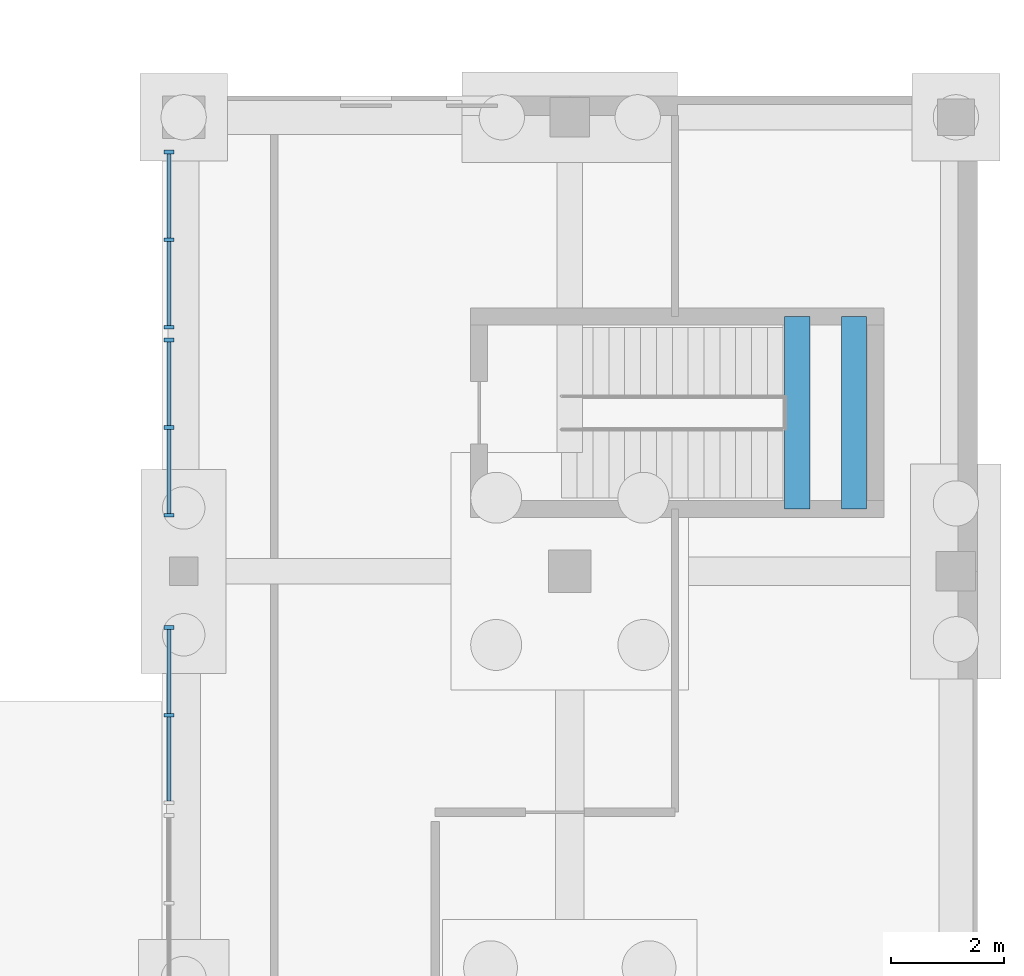
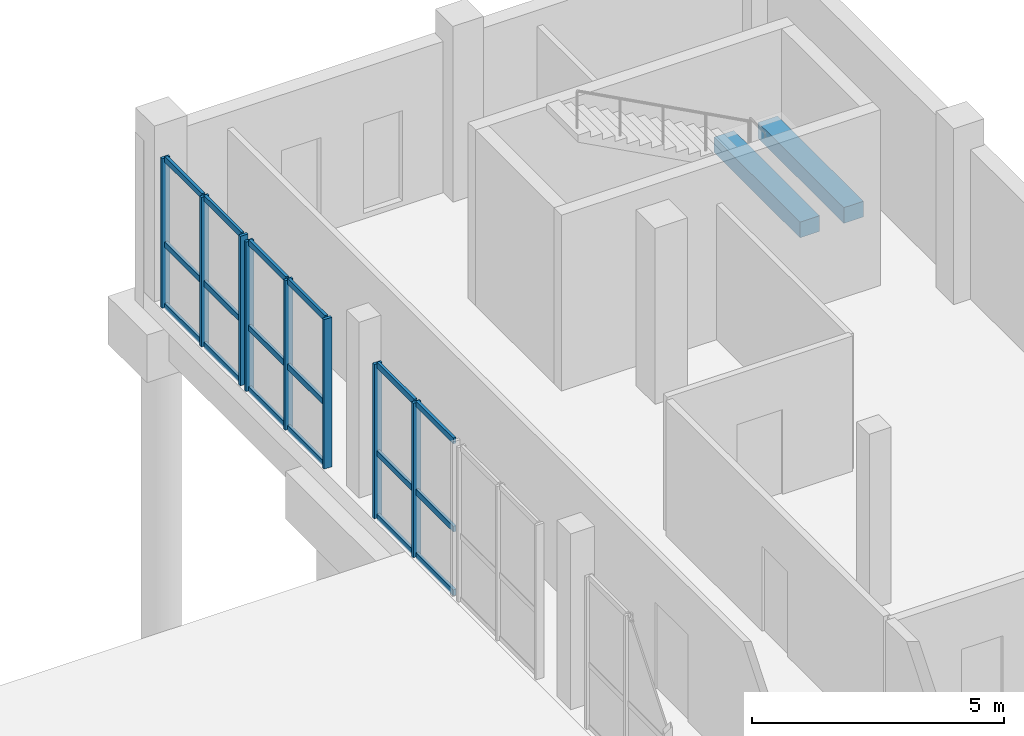
# One storey, part 19 of 41: 26 members, 2 beams, 3 elements without a shape of their own.
"""IFC4 building model written with IfcOpenShell, lengths in metres."""

from ifc_helpers import new_model, si_unit, direction, frame, origin, origin_2d, place, context, subcontext, project, spatial, rectangle, extrude, material, layer, layer_set, material_profile, profile_set, type_object, element, aggregate, save


model = new_model("IFC4")

# Units and contexts
model_context = context("Model", 3, precision=1e-05, world=origin(), true_north=direction((0.0, 1.0)))
body_context = subcontext(model_context, "Body", "Model", "MODEL_VIEW")
ifc_project = project(units=[si_unit("LENGTHUNIT", "METRE"), si_unit("AREAUNIT", "SQUARE_METRE"), si_unit("VOLUMEUNIT", "CUBIC_METRE"), si_unit("PLANEANGLEUNIT", "RADIAN"), si_unit("MASSUNIT", "GRAM", prefix="KILO")], contexts=[model_context])

# Site, building, storey
site_placement = place(None, origin())
site = spatial("IfcSite", under=ifc_project, at=site_placement, CompositionType="ELEMENT")
building_placement = place(site_placement, origin())
building = spatial("IfcBuilding", under=site, at=building_placement, Name="Vardoun Plaza Health Centre", CompositionType="ELEMENT")
storey_placement = place(building_placement, frame((0.0, 0.0, -4.5)))
storey = spatial("IfcBuildingStorey", under=building, at=storey_placement, Name="B1", CompositionType="ELEMENT", Elevation=-4.5)

# Beams
ifc_material_1 = material(Name="Concrete C35/45", Category="concrete")
ifc_material_profile_1 = material_profile(ifc_material_1, rectangle(XDim=0.449951171875, YDim=0.3798828125, at=origin_2d()), Name="RC-BM 450x380")
ifc_profile_set_1 = profile_set([ifc_material_profile_1], Name="Concrete C35/45")
beam_type = type_object("IfcBeamType", Name="B-01", PredefinedType="BEAM", material=ifc_profile_set_1)
for number, where, z_axis, x_axis, name in (
    (1, (162.1201171875, 79.400146484375, 1.860107421875), (0.0, 1.0, 0.0), (-1.0, 0.0, 0.0), "Stair ST-C11-B1 Landing Beam 1"),
    (2, (163.1201171875, 79.400146484375, 1.860107421875), (0.0, 1.0, 0.0), (-1.0, 0.0, 0.0), "Stair ST-C11-B1 Landing Beam 2"),
):
    element("IfcBeam", number, at=place(storey_placement, frame(where, z_axis=z_axis, x_axis=x_axis)), inside=storey, type_object=beam_type, Name=name, PredefinedType="BEAM", context=body_context, shape_type="SweptSolid", body=[
        extrude(rectangle(XDim=0.449951171875, YDim=0.3798828125, at=origin_2d()), origin(), (0.0, 0.0, 1.0), 3.39990234375),
    ])

# Curtain wall, members
ifc_material_2 = material(Name="Aluminium Alloy EN AW-6063-T6 and Low-E Glass", Category="aluminium")
ifc_layer = layer(ifc_material_2, 0.179931640625)
ifc_layer_set = layer_set([ifc_layer], Name="Aluminium Alloy EN AW-6063-T6 and Low-E Glass")
curtain_wall_type = type_object("IfcCurtainWallType", Name="CW-01", PredefinedType="USERDEFINED", material=ifc_layer_set)
curtain_wall_1_placement = place(storey_placement, origin())
curtain_wall_1 = element("IfcCurtainWall", 3, at=curtain_wall_1_placement, inside=storey, type_object=curtain_wall_type, Name="Curtain Wall CW-V6-188", ObjectType="CONCOURSE_CURTAIN_WALL", PredefinedType="USERDEFINED")
ifc_material_3 = material(Name="Aluminium Alloy EN AW-6063-T6", Category="aluminium")
ifc_material_profile_2 = material_profile(ifc_material_3, rectangle(XDim=0.179931640625, YDim=0.06494140625, at=origin_2d()), Name="CWM 65x180")
ifc_profile_set_2 = profile_set([ifc_material_profile_2], Name="Aluminium Alloy EN AW-6063-T6")
member_type_1 = type_object("IfcMemberType", Name="CW-M2", PredefinedType="MULLION", material=ifc_profile_set_2)
member_1_placement = place(storey_placement, frame((151.02001953125, 75.760009765625, 0.0), z_axis=(0.0, 0.0, 1.0), x_axis=(-1.0, 0.0, 0.0)))
member_1 = element("IfcMember", 4, at=member_1_placement, type_object=member_type_1, Name="CW-V6-188 mullion 2", PredefinedType="MULLION", context=body_context, shape_type="SweptSolid", body=[
    extrude(rectangle(XDim=0.179931640625, YDim=0.06494140625, at=origin_2d()), origin(), (0.0, 0.0, 1.0), 3.735107421875),
])
member_2_placement = place(storey_placement, frame((151.02001953125, 77.3076171875, 0.0), z_axis=(0.0, 0.0, 1.0), x_axis=(-1.0, 0.0, 0.0)))
member_2 = element("IfcMember", 5, at=member_2_placement, type_object=member_type_1, Name="CW-V6-188 mullion 3", PredefinedType="MULLION", context=body_context, shape_type="SweptSolid", body=[
    extrude(rectangle(XDim=0.179931640625, YDim=0.06494140625, at=origin_2d()), origin(), (0.0, 0.0, 1.0), 3.735107421875),
])

curtain_wall_2_placement = place(storey_placement, origin())
curtain_wall_2 = element("IfcCurtainWall", 6, at=curtain_wall_2_placement, inside=storey, type_object=curtain_wall_type, Name="Curtain Wall CW-V6-189", ObjectType="CONCOURSE_CURTAIN_WALL", PredefinedType="USERDEFINED")
member_3_placement = place(storey_placement, frame((151.02001953125, 79.29248046875, 0.0), z_axis=(0.0, 0.0, 1.0), x_axis=(-1.0, 0.0, 0.0)))
member_3 = element("IfcMember", 7, at=member_3_placement, type_object=member_type_1, Name="CW-V6-189 mullion 1", PredefinedType="MULLION", context=body_context, shape_type="SweptSolid", body=[
    extrude(rectangle(XDim=0.179931640625, YDim=0.06494140625, at=origin_2d()), origin(), (0.0, 0.0, 1.0), 3.614990234375),
])
member_4_placement = place(storey_placement, frame((151.02001953125, 80.840087890625, 0.0), z_axis=(0.0, 0.0, 1.0), x_axis=(-1.0, 0.0, 0.0)))
member_4 = element("IfcMember", 8, at=member_4_placement, type_object=member_type_1, Name="CW-V6-189 mullion 2", PredefinedType="MULLION", context=body_context, shape_type="SweptSolid", body=[
    extrude(rectangle(XDim=0.179931640625, YDim=0.06494140625, at=origin_2d()), origin(), (0.0, 0.0, 1.0), 3.614990234375),
])
member_5_placement = place(storey_placement, frame((151.02001953125, 82.387451171875, 0.0), z_axis=(0.0, 0.0, 1.0), x_axis=(-1.0, 0.0, 0.0)))
member_5 = element("IfcMember", 9, at=member_5_placement, type_object=member_type_1, Name="CW-V6-189 mullion 3", PredefinedType="MULLION", context=body_context, shape_type="SweptSolid", body=[
    extrude(rectangle(XDim=0.179931640625, YDim=0.06494140625, at=origin_2d()), origin(), (0.0, 0.0, 1.0), 3.614990234375),
])

curtain_wall_3_placement = place(storey_placement, origin())
curtain_wall_3 = element("IfcCurtainWall", 10, at=curtain_wall_3_placement, inside=storey, type_object=curtain_wall_type, Name="Curtain Wall CW-V6-190", ObjectType="CONCOURSE_CURTAIN_WALL", PredefinedType="USERDEFINED")
member_6_placement = place(storey_placement, frame((151.02001953125, 82.612548828125, 0.0), z_axis=(0.0, 0.0, 1.0), x_axis=(-1.0, 0.0, 0.0)))
member_6 = element("IfcMember", 11, at=member_6_placement, type_object=member_type_1, Name="CW-V6-190 mullion 1", PredefinedType="MULLION", context=body_context, shape_type="SweptSolid", body=[
    extrude(rectangle(XDim=0.179931640625, YDim=0.06494140625, at=origin_2d()), origin(), (0.0, 0.0, 1.0), 3.614990234375),
])
member_7_placement = place(storey_placement, frame((151.02001953125, 84.159912109375, 0.0), z_axis=(0.0, 0.0, 1.0), x_axis=(-1.0, 0.0, 0.0)))
member_7 = element("IfcMember", 12, at=member_7_placement, type_object=member_type_1, Name="CW-V6-190 mullion 2", PredefinedType="MULLION", context=body_context, shape_type="SweptSolid", body=[
    extrude(rectangle(XDim=0.179931640625, YDim=0.06494140625, at=origin_2d()), origin(), (0.0, 0.0, 1.0), 3.614990234375),
])
member_8_placement = place(storey_placement, frame((151.02001953125, 85.70751953125, 0.0), z_axis=(0.0, 0.0, 1.0), x_axis=(-1.0, 0.0, 0.0)))
member_8 = element("IfcMember", 13, at=member_8_placement, type_object=member_type_1, Name="CW-V6-190 mullion 3", PredefinedType="MULLION", context=body_context, shape_type="SweptSolid", body=[
    extrude(rectangle(XDim=0.179931640625, YDim=0.06494140625, at=origin_2d()), origin(), (0.0, 0.0, 1.0), 3.614990234375),
])

# Member
ifc_material_4 = material(Name="Aluminium Alloy EN AW-6063-T6", Category="aluminium")
ifc_material_profile_3 = material_profile(ifc_material_4, rectangle(XDim=0.06494140625, YDim=0.139892578125, at=origin_2d()), Name="CWT 65x140")
ifc_profile_set_3 = profile_set([ifc_material_profile_3], Name="Aluminium Alloy EN AW-6063-T6")
member_type_2 = type_object("IfcMemberType", Name="CW-T2", PredefinedType="USERDEFINED", material=ifc_profile_set_3)
member_9_placement = place(storey_placement, frame((151.02001953125, 74.2451171875, 0.032470703125), z_axis=(0.0, 1.0, 0.0), x_axis=(-1.0, 0.0, 0.0)))
member_9 = element("IfcMember", 14, at=member_9_placement, type_object=member_type_2, Name="CW-V6-188 transom 1.1", ObjectType="TRANSOM", PredefinedType="USERDEFINED", context=body_context, shape_type="SweptSolid", body=[
    extrude(rectangle(XDim=0.06494140625, YDim=0.139892578125, at=origin_2d()), origin(), (0.0, 0.0, 1.0), 1.482421875),
])

member_10_placement = place(storey_placement, frame((151.02001953125, 74.2451171875, 1.568603515625), z_axis=(0.0, 1.0, 0.0), x_axis=(-1.0, 0.0, 0.0)))
member_10 = element("IfcMember", 15, at=member_10_placement, type_object=member_type_2, Name="CW-V6-188 transom 1.2", ObjectType="TRANSOM", PredefinedType="USERDEFINED", context=body_context, shape_type="SweptSolid", body=[
    extrude(rectangle(XDim=0.06494140625, YDim=0.139892578125, at=origin_2d()), origin(), (0.0, 0.0, 1.0), 1.482421875),
])

member_11_placement = place(storey_placement, frame((151.02001953125, 74.2451171875, 3.702392578125), z_axis=(0.0, 1.0, 0.0), x_axis=(-1.0, 0.0, 0.0)))
member_11 = element("IfcMember", 16, at=member_11_placement, type_object=member_type_2, Name="CW-V6-188 transom 1.3", ObjectType="TRANSOM", PredefinedType="USERDEFINED", context=body_context, shape_type="SweptSolid", body=[
    extrude(rectangle(XDim=0.06494140625, YDim=0.139892578125, at=origin_2d()), origin(), (0.0, 0.0, 1.0), 1.482421875),
])

member_12_placement = place(storey_placement, frame((151.02001953125, 75.79248046875, 0.032470703125), z_axis=(0.0, 1.0, 0.0), x_axis=(-1.0, 0.0, 0.0)))
member_12 = element("IfcMember", 17, at=member_12_placement, type_object=member_type_2, Name="CW-V6-188 transom 2.1", ObjectType="TRANSOM", PredefinedType="USERDEFINED", context=body_context, shape_type="SweptSolid", body=[
    extrude(rectangle(XDim=0.06494140625, YDim=0.139892578125, at=origin_2d()), origin(), (0.0, 0.0, 1.0), 1.482666015625),
])

member_13_placement = place(storey_placement, frame((151.02001953125, 75.79248046875, 1.568603515625), z_axis=(0.0, 1.0, 0.0), x_axis=(-1.0, 0.0, 0.0)))
member_13 = element("IfcMember", 18, at=member_13_placement, type_object=member_type_2, Name="CW-V6-188 transom 2.2", ObjectType="TRANSOM", PredefinedType="USERDEFINED", context=body_context, shape_type="SweptSolid", body=[
    extrude(rectangle(XDim=0.06494140625, YDim=0.139892578125, at=origin_2d()), origin(), (0.0, 0.0, 1.0), 1.482666015625),
])

member_14_placement = place(storey_placement, frame((151.02001953125, 75.79248046875, 3.702392578125), z_axis=(0.0, 1.0, 0.0), x_axis=(-1.0, 0.0, 0.0)))
member_14 = element("IfcMember", 19, at=member_14_placement, type_object=member_type_2, Name="CW-V6-188 transom 2.3", ObjectType="TRANSOM", PredefinedType="USERDEFINED", context=body_context, shape_type="SweptSolid", body=[
    extrude(rectangle(XDim=0.06494140625, YDim=0.139892578125, at=origin_2d()), origin(), (0.0, 0.0, 1.0), 1.482666015625),
])

aggregate(curtain_wall_1, [member_1, member_2, member_9, member_10, member_11, member_12, member_13, member_14])

member_15_placement = place(storey_placement, frame((151.02001953125, 79.324951171875, 0.032470703125), z_axis=(0.0, 1.0, 0.0), x_axis=(-1.0, 0.0, 0.0)))
member_15 = element("IfcMember", 20, at=member_15_placement, type_object=member_type_2, Name="CW-V6-189 transom 1.1", ObjectType="TRANSOM", PredefinedType="USERDEFINED", context=body_context, shape_type="SweptSolid", body=[
    extrude(rectangle(XDim=0.06494140625, YDim=0.139892578125, at=origin_2d()), origin(), (0.0, 0.0, 1.0), 1.482666015625),
])

member_16_placement = place(storey_placement, frame((151.02001953125, 79.324951171875, 1.518310546875), z_axis=(0.0, 1.0, 0.0), x_axis=(-1.0, 0.0, 0.0)))
member_16 = element("IfcMember", 21, at=member_16_placement, type_object=member_type_2, Name="CW-V6-189 transom 1.2", ObjectType="TRANSOM", PredefinedType="USERDEFINED", context=body_context, shape_type="SweptSolid", body=[
    extrude(rectangle(XDim=0.06494140625, YDim=0.139892578125, at=origin_2d()), origin(), (0.0, 0.0, 1.0), 1.482666015625),
])

member_17_placement = place(storey_placement, frame((151.02001953125, 79.324951171875, 3.58251953125), z_axis=(0.0, 1.0, 0.0), x_axis=(-1.0, 0.0, 0.0)))
member_17 = element("IfcMember", 22, at=member_17_placement, type_object=member_type_2, Name="CW-V6-189 transom 1.3", ObjectType="TRANSOM", PredefinedType="USERDEFINED", context=body_context, shape_type="SweptSolid", body=[
    extrude(rectangle(XDim=0.06494140625, YDim=0.139892578125, at=origin_2d()), origin(), (0.0, 0.0, 1.0), 1.482666015625),
])

member_18_placement = place(storey_placement, frame((151.02001953125, 80.87255859375, 0.032470703125), z_axis=(0.0, 1.0, 0.0), x_axis=(-1.0, 0.0, 0.0)))
member_18 = element("IfcMember", 23, at=member_18_placement, type_object=member_type_2, Name="CW-V6-189 transom 2.1", ObjectType="TRANSOM", PredefinedType="USERDEFINED", context=body_context, shape_type="SweptSolid", body=[
    extrude(rectangle(XDim=0.06494140625, YDim=0.139892578125, at=origin_2d()), origin(), (0.0, 0.0, 1.0), 1.482421875),
])

member_19_placement = place(storey_placement, frame((151.02001953125, 80.87255859375, 1.518310546875), z_axis=(0.0, 1.0, 0.0), x_axis=(-1.0, 0.0, 0.0)))
member_19 = element("IfcMember", 24, at=member_19_placement, type_object=member_type_2, Name="CW-V6-189 transom 2.2", ObjectType="TRANSOM", PredefinedType="USERDEFINED", context=body_context, shape_type="SweptSolid", body=[
    extrude(rectangle(XDim=0.06494140625, YDim=0.139892578125, at=origin_2d()), origin(), (0.0, 0.0, 1.0), 1.482421875),
])

member_20_placement = place(storey_placement, frame((151.02001953125, 80.87255859375, 3.58251953125), z_axis=(0.0, 1.0, 0.0), x_axis=(-1.0, 0.0, 0.0)))
member_20 = element("IfcMember", 25, at=member_20_placement, type_object=member_type_2, Name="CW-V6-189 transom 2.3", ObjectType="TRANSOM", PredefinedType="USERDEFINED", context=body_context, shape_type="SweptSolid", body=[
    extrude(rectangle(XDim=0.06494140625, YDim=0.139892578125, at=origin_2d()), origin(), (0.0, 0.0, 1.0), 1.482421875),
])

aggregate(curtain_wall_2, [member_3, member_4, member_5, member_15, member_16, member_17, member_18, member_19, member_20])

member_21_placement = place(storey_placement, frame((151.02001953125, 82.64501953125, 0.032470703125), z_axis=(0.0, 1.0, 0.0), x_axis=(-1.0, 0.0, 0.0)))
member_21 = element("IfcMember", 26, at=member_21_placement, type_object=member_type_2, Name="CW-V6-190 transom 1.1", ObjectType="TRANSOM", PredefinedType="USERDEFINED", context=body_context, shape_type="SweptSolid", body=[
    extrude(rectangle(XDim=0.06494140625, YDim=0.139892578125, at=origin_2d()), origin(), (0.0, 0.0, 1.0), 1.482666015625),
])

member_22_placement = place(storey_placement, frame((151.02001953125, 82.64501953125, 1.518310546875), z_axis=(0.0, 1.0, 0.0), x_axis=(-1.0, 0.0, 0.0)))
member_22 = element("IfcMember", 27, at=member_22_placement, type_object=member_type_2, Name="CW-V6-190 transom 1.2", ObjectType="TRANSOM", PredefinedType="USERDEFINED", context=body_context, shape_type="SweptSolid", body=[
    extrude(rectangle(XDim=0.06494140625, YDim=0.139892578125, at=origin_2d()), origin(), (0.0, 0.0, 1.0), 1.482666015625),
])

member_23_placement = place(storey_placement, frame((151.02001953125, 82.64501953125, 3.58251953125), z_axis=(0.0, 1.0, 0.0), x_axis=(-1.0, 0.0, 0.0)))
member_23 = element("IfcMember", 28, at=member_23_placement, type_object=member_type_2, Name="CW-V6-190 transom 1.3", ObjectType="TRANSOM", PredefinedType="USERDEFINED", context=body_context, shape_type="SweptSolid", body=[
    extrude(rectangle(XDim=0.06494140625, YDim=0.139892578125, at=origin_2d()), origin(), (0.0, 0.0, 1.0), 1.482666015625),
])

member_24_placement = place(storey_placement, frame((151.02001953125, 84.1923828125, 0.032470703125), z_axis=(0.0, 1.0, 0.0), x_axis=(-1.0, 0.0, 0.0)))
member_24 = element("IfcMember", 29, at=member_24_placement, type_object=member_type_2, Name="CW-V6-190 transom 2.1", ObjectType="TRANSOM", PredefinedType="USERDEFINED", context=body_context, shape_type="SweptSolid", body=[
    extrude(rectangle(XDim=0.06494140625, YDim=0.139892578125, at=origin_2d()), origin(), (0.0, 0.0, 1.0), 1.482666015625),
])

member_25_placement = place(storey_placement, frame((151.02001953125, 84.1923828125, 1.518310546875), z_axis=(0.0, 1.0, 0.0), x_axis=(-1.0, 0.0, 0.0)))
member_25 = element("IfcMember", 30, at=member_25_placement, type_object=member_type_2, Name="CW-V6-190 transom 2.2", ObjectType="TRANSOM", PredefinedType="USERDEFINED", context=body_context, shape_type="SweptSolid", body=[
    extrude(rectangle(XDim=0.06494140625, YDim=0.139892578125, at=origin_2d()), origin(), (0.0, 0.0, 1.0), 1.482666015625),
])

member_26_placement = place(storey_placement, frame((151.02001953125, 84.1923828125, 3.58251953125), z_axis=(0.0, 1.0, 0.0), x_axis=(-1.0, 0.0, 0.0)))
member_26 = element("IfcMember", 31, at=member_26_placement, type_object=member_type_2, Name="CW-V6-190 transom 2.3", ObjectType="TRANSOM", PredefinedType="USERDEFINED", context=body_context, shape_type="SweptSolid", body=[
    extrude(rectangle(XDim=0.06494140625, YDim=0.139892578125, at=origin_2d()), origin(), (0.0, 0.0, 1.0), 1.482666015625),
])

aggregate(curtain_wall_3, [member_6, member_7, member_8, member_21, member_22, member_23, member_24, member_25, member_26])

save(model, "model.ifc")
